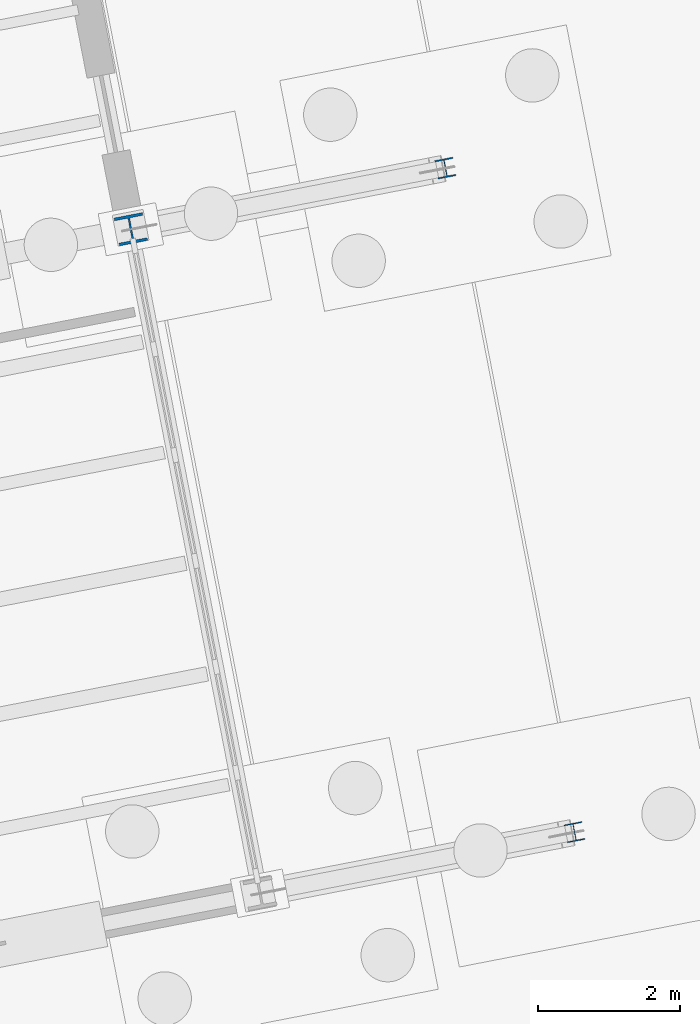
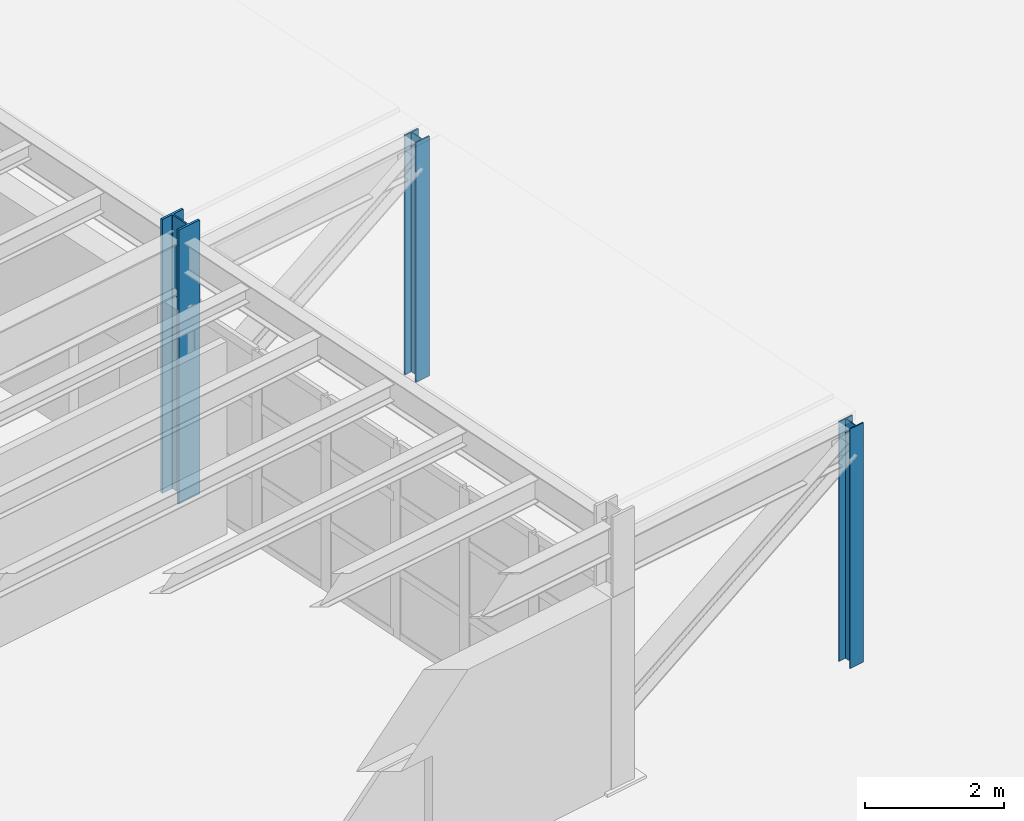
# One storey, part 11 of 108: 3 columns.
"""IFC4 building model written with IfcOpenShell, lengths in metres."""

from ifc_helpers import new_model, si_unit, direction, frame, origin, origin_2d, place, context, subcontext, project, spatial, i_section, extrude, material, material_profile, profile_set, type_object, element, save


model = new_model("IFC4")

# Units and contexts
model_context = context("Model", 3, precision=1e-05, world=origin(), true_north=direction((0.0, 1.0)))
body_context = subcontext(model_context, "Body", "Model", "MODEL_VIEW")
ifc_project = project(units=[si_unit("LENGTHUNIT", "METRE"), si_unit("AREAUNIT", "SQUARE_METRE"), si_unit("VOLUMEUNIT", "CUBIC_METRE"), si_unit("PLANEANGLEUNIT", "RADIAN"), si_unit("MASSUNIT", "GRAM", prefix="KILO")], contexts=[model_context])

# Site, building, storey
site_placement = place(None, origin())
site = spatial("IfcSite", under=ifc_project, at=site_placement, CompositionType="ELEMENT")
building_placement = place(site_placement, origin())
building = spatial("IfcBuilding", under=site, at=building_placement, Name="Vireo Bluff Cable Station", CompositionType="ELEMENT")
storey_placement = place(building_placement, origin())
storey = spatial("IfcBuildingStorey", under=building, at=storey_placement, Name="L00", CompositionType="ELEMENT", Elevation=0.0)

# Columns
ifc_material = material(Name="Steel ASTM A992 Gr. 50", Category="steel")
ifc_material_profile_1 = material_profile(ifc_material, i_section(OverallWidth=0.40087890625, OverallDepth=0.39892578125, WebThickness=0.02490234375, FlangeThickness=0.03955078125, FilletRadius=0.014892578125, at=origin_2d()), Name="W14X211")
ifc_profile_set_1 = profile_set([ifc_material_profile_1], Name="Steel ASTM A992 Gr. 50")
column_type_1 = type_object("IfcColumnType", Name="ECOL-W14X211", PredefinedType="COLUMN", material=ifc_profile_set_1)
column_1_placement = place(storey_placement, frame((51.860595703125, 23.411865234375, 0.0), z_axis=(0.0, 0.0, 1.0), x_axis=(0.981627183448, 0.190808995377, 0.0)))
element("IfcColumn", 1, at=column_1_placement, inside=storey, type_object=column_type_1, Name="V5 L00 column 383", PredefinedType="COLUMN", context=body_context, shape_type="SweptSolid", body=[
    extrude(i_section(OverallWidth=0.40087890625, OverallDepth=0.39892578125, WebThickness=0.02490234375, FlangeThickness=0.03955078125, FilletRadius=0.014892578125, at=origin_2d()), origin(), (0.0, 0.0, 1.0), 4.800048828125),
])
ifc_material_profile_2 = material_profile(ifc_material, i_section(OverallWidth=0.2548828125, OverallDepth=0.256103515625, WebThickness=0.009521484375, FlangeThickness=0.015625, FilletRadius=0.009033203125, at=origin_2d()), Name="W10X54")
ifc_profile_set_2 = profile_set([ifc_material_profile_2], Name="Steel ASTM A992 Gr. 50")
column_type_2 = type_object("IfcColumnType", Name="PIL-W10X54", PredefinedType="PILASTER", material=ifc_profile_set_2)
column_2_placement = place(storey_placement, frame((58.090576171875, 14.945068359375, 0.0), z_axis=(0.0, 0.0, 1.0), x_axis=(0.981627183448, 0.190808995377, 0.0)))
element("IfcColumn", 2, at=column_2_placement, inside=storey, type_object=column_type_2, Name="Plaza canopy colonnade post 1", PredefinedType="PILASTER", context=body_context, shape_type="SweptSolid", body=[
    extrude(i_section(OverallWidth=0.2548828125, OverallDepth=0.256103515625, WebThickness=0.009521484375, FlangeThickness=0.015625, FilletRadius=0.009033203125, at=origin_2d()), origin(), (0.0, 0.0, 1.0), 4.199951171875),
])
ifc_material_profile_3 = material_profile(ifc_material, i_section(OverallWidth=0.257080078125, OverallDepth=0.263916015625, WebThickness=0.011962890625, FlangeThickness=0.01953125, FilletRadius=0.009033203125, at=origin_2d()), Name="W10X68")
ifc_profile_set_3 = profile_set([ifc_material_profile_3], Name="Steel ASTM A992 Gr. 50")
column_type_3 = type_object("IfcColumnType", Name="PIL-W10X68", PredefinedType="PILASTER", material=ifc_profile_set_3)
column_3_placement = place(storey_placement, frame((56.27783203125, 24.2705078125, 0.0), z_axis=(0.0, 0.0, 1.0), x_axis=(0.981627183448, 0.190808995377, 0.0)))
element("IfcColumn", 3, at=column_3_placement, inside=storey, type_object=column_type_3, Name="Plaza canopy colonnade post 2", PredefinedType="PILASTER", context=body_context, shape_type="SweptSolid", body=[
    extrude(i_section(OverallWidth=0.257080078125, OverallDepth=0.263916015625, WebThickness=0.011962890625, FlangeThickness=0.01953125, FilletRadius=0.009033203125, at=origin_2d()), origin(), (0.0, 0.0, 1.0), 4.199951171875),
])

save(model, "model.ifc")
